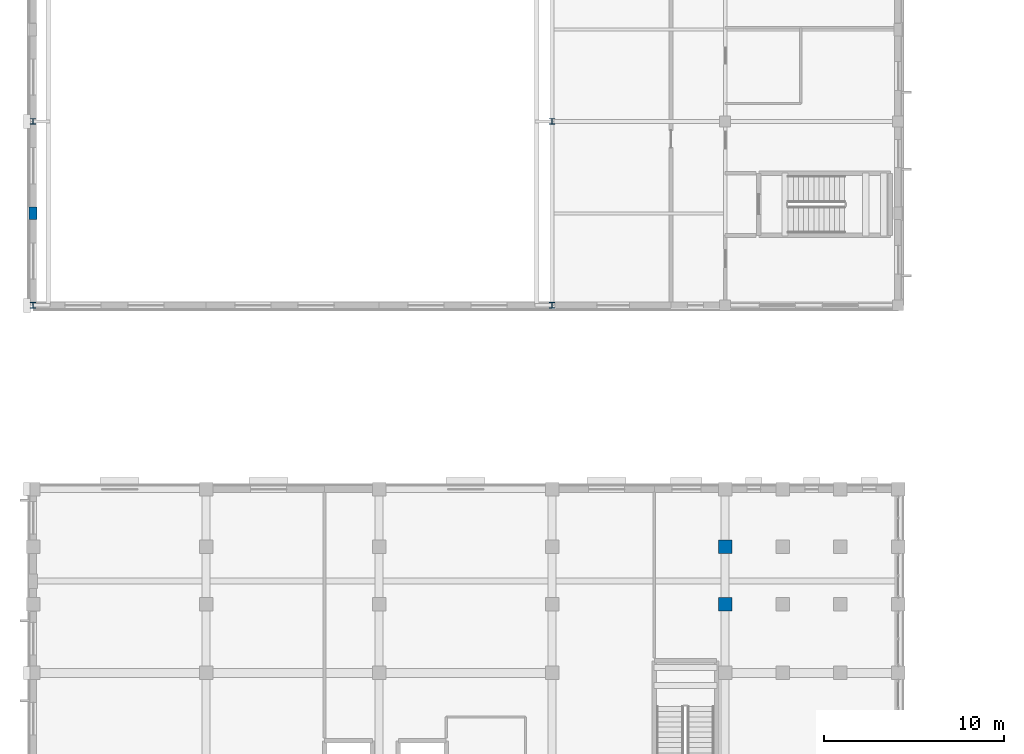
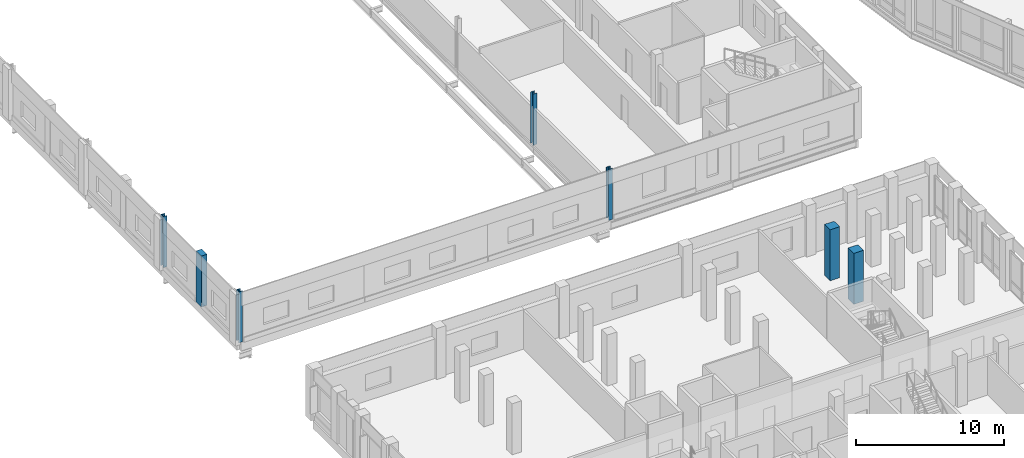
# One storey, part 2 of 170: 7 columns.
"""IFC4 building model written with IfcOpenShell, lengths in metres."""

from ifc_helpers import new_model, si_unit, direction, frame, origin, origin_2d, place, context, subcontext, project, spatial, rectangle, i_section, extrude, material, material_profile, profile_set, type_object, element, save


model = new_model("IFC4")

# Units and contexts
model_context = context("Model", 3, precision=1e-05, world=origin(), true_north=direction((0.0, 1.0)))
body_context = subcontext(model_context, "Body", "Model", "MODEL_VIEW")
ifc_project = project(units=[si_unit("LENGTHUNIT", "METRE"), si_unit("AREAUNIT", "SQUARE_METRE"), si_unit("VOLUMEUNIT", "CUBIC_METRE"), si_unit("PLANEANGLEUNIT", "RADIAN"), si_unit("MASSUNIT", "GRAM", prefix="KILO")], contexts=[model_context])

# Site, building, storey
site_placement = place(None, origin())
site = spatial("IfcSite", under=ifc_project, at=site_placement, CompositionType="ELEMENT")
building_placement = place(site_placement, origin())
building = spatial("IfcBuilding", under=site, at=building_placement, Name="Vondelvale Polytechnic", CompositionType="ELEMENT")
storey_placement = place(building_placement, frame((0.0, 0.0, 5.39990234375)))
storey = spatial("IfcBuildingStorey", under=building, at=storey_placement, Name="L01", CompositionType="ELEMENT", Elevation=5.39990234375)

# Columns
ifc_material_1 = material(Name="Concrete N50 (f'c = 50 MPa)", Category="concrete")
ifc_material_profile_1 = material_profile(ifc_material_1, rectangle(XDim=0.75, YDim=0.75, at=origin_2d()), Name="RC-COL-750x750")
ifc_profile_set_1 = profile_set([ifc_material_profile_1], Name="Concrete N50 (f'c = 50 MPa)")
column_type_1 = type_object("IfcColumnType", Name="COL-RC750", PredefinedType="COLUMN", material=ifc_profile_set_1)
for number, where, z_axis, x_axis, name in (
    (1, (38.39990234375, 34.39990234375, 0.0), (0.0, 0.0, 1.0), (1.0, 0.0, 0.0), "L01 corner wing column (38.4,34.4)"),
    (2, (38.39990234375, 37.60009765625, 0.0), (0.0, 0.0, 1.0), (1.0, 0.0, 0.0), "L01 corner wing column (38.4,37.6)"),
):
    element("IfcColumn", number, at=place(storey_placement, frame(where, z_axis=z_axis, x_axis=x_axis)), inside=storey, type_object=column_type_1, Name=name, PredefinedType="COLUMN", context=body_context, shape_type="SweptSolid", body=[
        extrude(rectangle(XDim=0.75, YDim=0.75, at=origin_2d()), origin(), (0.0, 0.0, 1.0), 4.2001953125),
    ])
ifc_material_2 = material(Name="Steel 300PLUS (fy = 300 MPa)", Category="steel")
ifc_material_profile_2 = material_profile(ifc_material_2, i_section(OverallWidth=0.31103515625, OverallDepth=0.326904296875, WebThickness=0.015625, FlangeThickness=0.02490234375, FilletRadius=0.0166015625, at=origin_2d()), Name="310UC158")
ifc_profile_set_2 = profile_set([ifc_material_profile_2], Name="Steel 300PLUS (fy = 300 MPa)")
column_type_2 = type_object("IfcColumnType", Name="COL-UC310H", PredefinedType="COLUMN", material=ifc_profile_set_2)
for number, where, z_axis, x_axis, name in (
    (3, (0.0, 51.0, 0.0), (0.0, 0.0, 1.0), (1.0, 0.0, 0.0), "L01 workshop column (0.0,51.0)"),
    (4, (28.800048828125, 51.0, 0.0), (0.0, 0.0, 1.0), (1.0, 0.0, 0.0), "L01 workshop column (28.8,51.0)"),
    (5, (0.0, 61.199951171875, 0.0), (0.0, 0.0, 1.0), (1.0, 0.0, 0.0), "L01 workshop column (0.0,61.2)"),
    (6, (28.800048828125, 61.199951171875, 0.0), (0.0, 0.0, 1.0), (1.0, 0.0, 0.0), "L01 workshop column (28.8,61.2)"),
):
    element("IfcColumn", number, at=place(storey_placement, frame(where, z_axis=z_axis, x_axis=x_axis)), inside=storey, type_object=column_type_2, Name=name, PredefinedType="COLUMN", context=body_context, shape_type="SweptSolid", body=[
        extrude(i_section(OverallWidth=0.31103515625, OverallDepth=0.326904296875, WebThickness=0.015625, FlangeThickness=0.02490234375, FilletRadius=0.0166015625, at=origin_2d()), origin(), (0.0, 0.0, 1.0), 4.2001953125),
    ])
ifc_material_profile_3 = material_profile(ifc_material_1, rectangle(XDim=0.449951171875, YDim=0.699951171875, at=origin_2d()), Name="RC-PIL-700x450")
ifc_profile_set_3 = profile_set([ifc_material_profile_3], Name="Concrete N50 (f'c = 50 MPa)")
column_type_3 = type_object("IfcColumnType", Name="PIL-RC700x450", PredefinedType="PILASTER", material=ifc_profile_set_3)
column_placement = place(storey_placement, frame((0.0, 56.10009765625, 0.0), z_axis=(0.0, 0.0, 1.0), x_axis=(1.0, 0.0, 0.0)))
element("IfcColumn", 7, at=column_placement, inside=storey, type_object=column_type_3, Name="L01 West workshop brick pilaster 1", PredefinedType="PILASTER", context=body_context, shape_type="SweptSolid", body=[
    extrude(rectangle(XDim=0.449951171875, YDim=0.699951171875, at=origin_2d()), origin(), (0.0, 0.0, 1.0), 4.2001953125),
])

save(model, "model.ifc")
